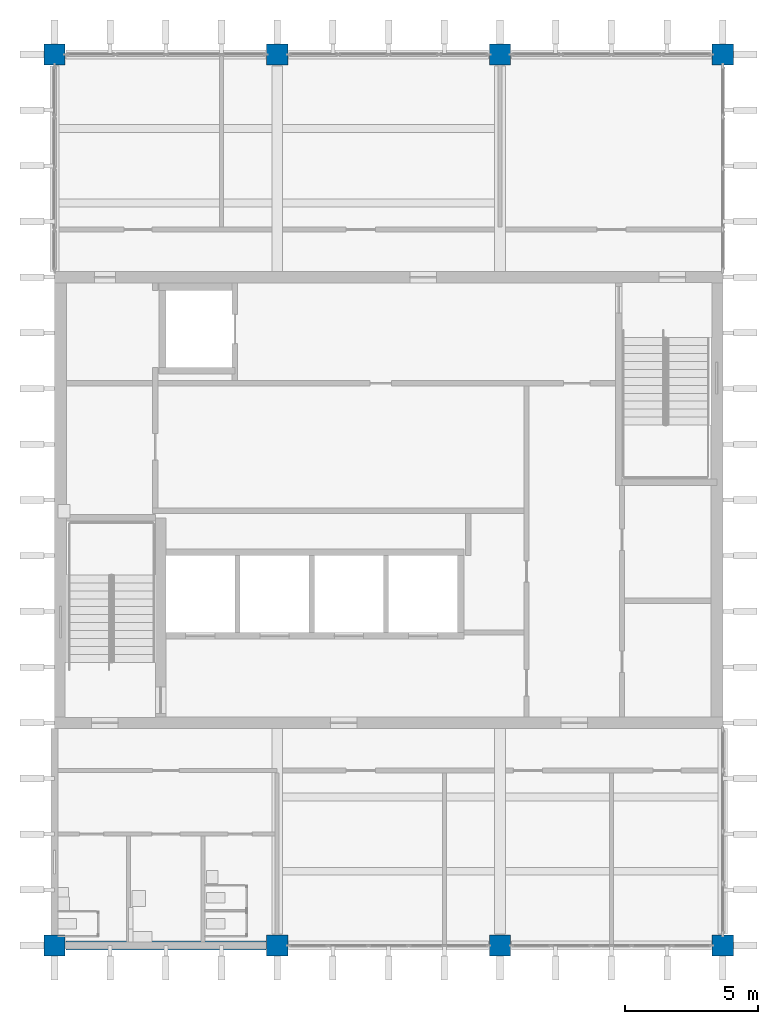
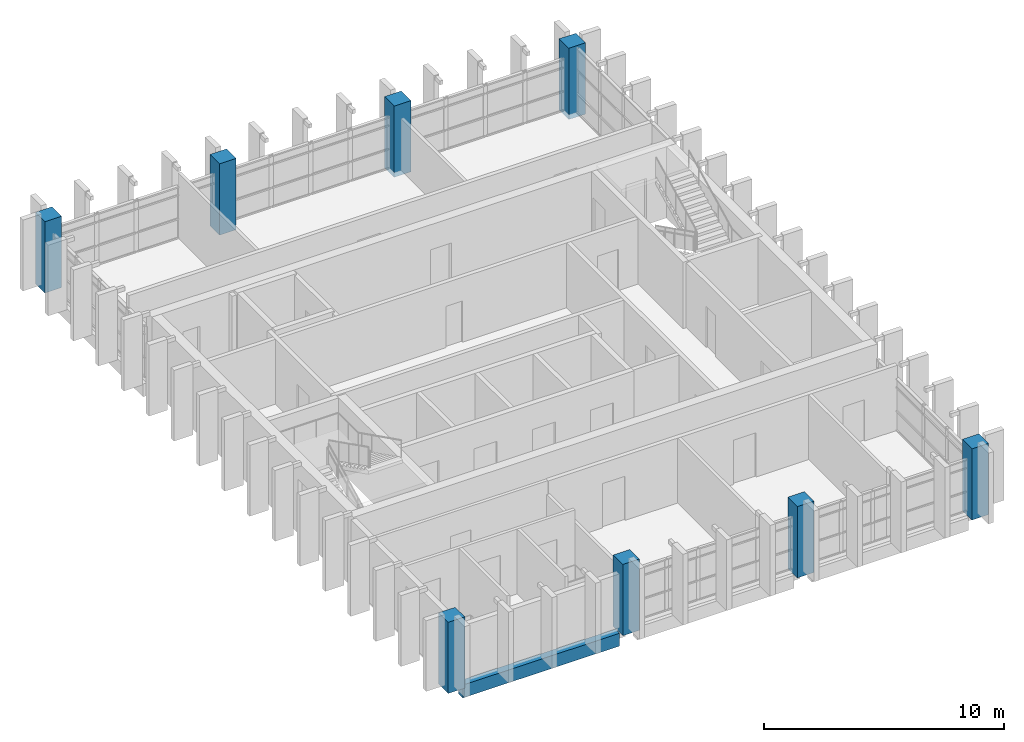
# One storey, part 1 of 11: 8 columns, 1 beam.
"""IFC4 building model written with IfcOpenShell, lengths in metres."""

from ifc_helpers import new_model, si_unit, direction, frame, origin, origin_2d, place, context, subcontext, project, spatial, rectangle, extrude, material, material_profile, profile_set, type_object, element, save


model = new_model("IFC4")

# Units and contexts
model_context = context("Model", 3, precision=1e-05, world=origin(), true_north=direction((0.0, 1.0)))
body_context = subcontext(model_context, "Body", "Model", "MODEL_VIEW")
ifc_project = project(units=[si_unit("LENGTHUNIT", "METRE"), si_unit("AREAUNIT", "SQUARE_METRE"), si_unit("VOLUMEUNIT", "CUBIC_METRE"), si_unit("PLANEANGLEUNIT", "RADIAN"), si_unit("MASSUNIT", "GRAM", prefix="KILO")], contexts=[model_context])

# Site, building, storey
site_placement = place(None, origin())
site = spatial("IfcSite", under=ifc_project, at=site_placement, CompositionType="ELEMENT")
building_placement = place(site_placement, origin())
building = spatial("IfcBuilding", under=site, at=building_placement, Name="Rulbaag Community and Learning Centre", CompositionType="ELEMENT")
storey_placement = place(building_placement, frame((0.0, 0.0, 36.0)))
storey = spatial("IfcBuildingStorey", under=building, at=storey_placement, Name="L09", CompositionType="ELEMENT", Elevation=36.0)

# Columns
ifc_material_1 = material(Name="Concrete M60", Category="concrete")
ifc_material_profile_1 = material_profile(ifc_material_1, rectangle(XDim=0.800048828125, YDim=0.800048828125, at=origin_2d()), Name="RC800x800")
ifc_profile_set_1 = profile_set([ifc_material_profile_1], Name="Concrete M60")
column_type = type_object("IfcColumnType", Name="C4 Column 800x800 Concrete M60", PredefinedType="COLUMN", material=ifc_profile_set_1)
for number, where, z_axis, x_axis, name in (
    (1, (142.800048828125, 84.0, -0.25), (0.0, 0.0, 1.0), (1.0, 0.0, 0.0), "COL-18K-L09"),
    (2, (142.800048828125, 117.60009765625, -0.25), (0.0, 0.0, 1.0), (1.0, 0.0, 0.0), "COL-18O-L09"),
    (3, (151.199951171875, 84.0, -0.25), (0.0, 0.0, 1.0), (1.0, 0.0, 0.0), "COL-19K-L09"),
    (4, (151.199951171875, 117.60009765625, -0.25), (0.0, 0.0, 1.0), (1.0, 0.0, 0.0), "COL-19O-L09"),
    (5, (159.60009765625, 84.0, -0.25), (0.0, 0.0, 1.0), (1.0, 0.0, 0.0), "COL-20K-L09"),
    (6, (159.60009765625, 117.60009765625, -0.25), (0.0, 0.0, 1.0), (1.0, 0.0, 0.0), "COL-20O-L09"),
    (7, (168.0, 84.0, -0.25), (0.0, 0.0, 1.0), (1.0, 0.0, 0.0), "COL-21K-L09"),
    (8, (168.0, 117.60009765625, -0.25), (0.0, 0.0, 1.0), (1.0, 0.0, 0.0), "COL-21O-L09"),
):
    element("IfcColumn", number, at=place(storey_placement, frame(where, z_axis=z_axis, x_axis=x_axis)), inside=storey, type_object=column_type, Name=name, PredefinedType="COLUMN", context=body_context, shape_type="SweptSolid", body=[
        extrude(rectangle(XDim=0.800048828125, YDim=0.800048828125, at=origin_2d()), origin(), (0.0, 0.0, 1.0), 3.625),
    ])

# Beam
ifc_material_2 = material(Name="Concrete M40", Category="concrete")
ifc_material_profile_2 = material_profile(ifc_material_2, rectangle(XDim=0.35009765625, YDim=0.64990234375, at=origin_2d()), Name="RB350x650")
ifc_profile_set_2 = profile_set([ifc_material_profile_2], Name="Concrete M40")
beam_type = type_object("IfcBeamType", Name="B14 Tower edge beam, upper zone 350x650 Concrete M40", PredefinedType="BEAM", material=ifc_profile_set_2)
beam_placement = place(storey_placement, frame((143.22998046875, 84.0, -0.574951171875), z_axis=(1.0, 0.0, 0.0), x_axis=(0.0, 1.0, 0.0)))
element("IfcBeam", 9, at=beam_placement, inside=storey, type_object=beam_type, Name="BM-L09-18K-19K", PredefinedType="BEAM", context=body_context, shape_type="SweptSolid", body=[
    extrude(rectangle(XDim=0.35009765625, YDim=0.64990234375, at=origin_2d()), origin(), (0.0, 0.0, 1.0), 7.5400390625),
])

save(model, "model.ifc")
